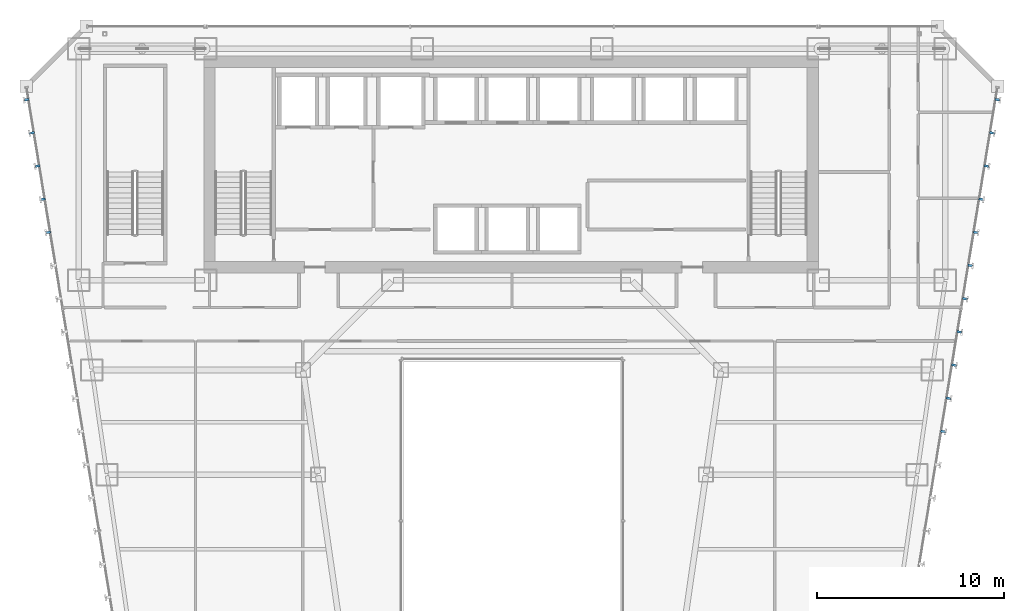
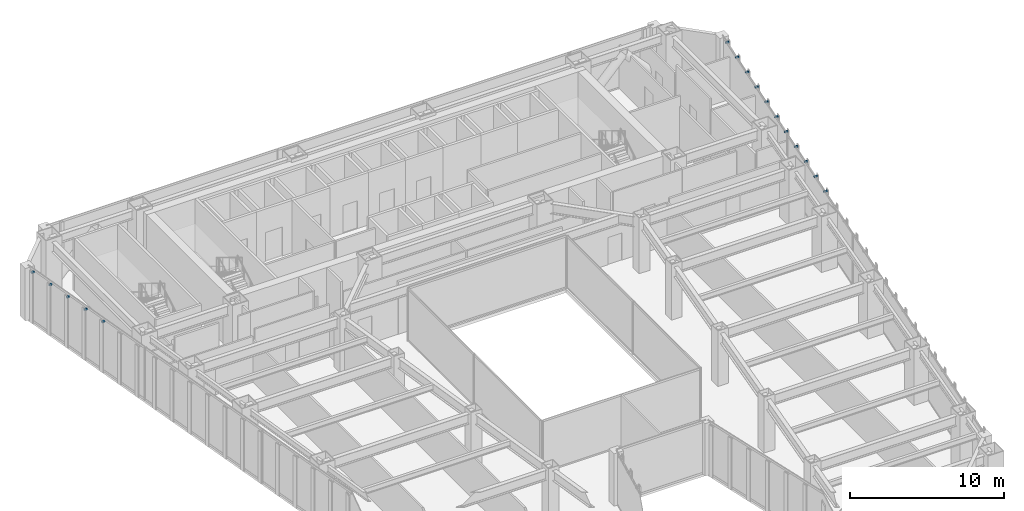
# One storey, part 40 of 47: 16 discrete accessories.
"""IFC4 building model written with IfcOpenShell, lengths in metres."""

from ifc_helpers import new_model, si_unit, direction, frame, origin, origin_2d, place, context, subcontext, project, spatial, rectangle, extrude, material, layer, layer_set, type_object, element, save


model = new_model("IFC4")

# Units and contexts
model_context = context("Model", 3, precision=1e-05, world=origin(), true_north=direction((0.0, 1.0)))
body_context = subcontext(model_context, "Body", "Model", "MODEL_VIEW")
ifc_project = project(units=[si_unit("LENGTHUNIT", "METRE"), si_unit("AREAUNIT", "SQUARE_METRE"), si_unit("VOLUMEUNIT", "CUBIC_METRE"), si_unit("PLANEANGLEUNIT", "RADIAN"), si_unit("MASSUNIT", "GRAM", prefix="KILO")], contexts=[model_context])

# Site, building, storey
site_placement = place(None, origin())
site = spatial("IfcSite", under=ifc_project, at=site_placement, CompositionType="ELEMENT")
building_placement = place(site_placement, origin())
building = spatial("IfcBuilding", under=site, at=building_placement, Name="Saevonmaru Cultural Tower", CompositionType="ELEMENT")
storey_placement = place(building_placement, frame((0.0, 0.0, 47.199951171875)))
storey = spatial("IfcBuildingStorey", under=building, at=storey_placement, Name="L09", CompositionType="ELEMENT", Elevation=47.199951171875)

# Discrete accessories
ifc_material = material(Name="Stainless Steel 316", Category="steel")
ifc_layer = layer(ifc_material, 0.1201171875, Name="Stainless Steel 316")
ifc_layer_set = layer_set([ifc_layer], Name="Stainless Steel 316")
discrete_accessory_type = type_object("IfcDiscreteAccessoryType", Name="ACC-FIN-BRKT", PredefinedType="BRACKET", material=ifc_layer_set)
for number, where, z_axis, x_axis, name in (
    (1, (53.081787109375, 34.31103515625, 3.929931640625), (0.0, 0.0, 1.0), (0.986827496189, -0.161776057456, 0.0), "L09 Bronze Fin Bracket E8-17"),
    (2, (53.372802734375, 36.08740234375, 3.929931640625), (0.0, 0.0, 1.0), (0.986827496189, -0.161776057456, 0.0), "L09 Bronze Fin Bracket E8-18"),
    (3, (53.663818359375, 37.86376953125, 3.929931640625), (0.0, 0.0, 1.0), (0.986827496189, -0.161776057456, 0.0), "L09 Bronze Fin Bracket E8-19"),
    (4, (53.955078125, 39.64013671875, 3.929931640625), (0.0, 0.0, 1.0), (0.986827496189, -0.161776057456, 0.0), "L09 Bronze Fin Bracket E8-20"),
    (5, (54.24609375, 41.41650390625, 3.929931640625), (0.0, 0.0, 1.0), (0.986827496189, -0.161776057456, 0.0), "L09 Bronze Fin Bracket E8-21"),
    (6, (54.537109375, 43.192626953125, 3.929931640625), (0.0, 0.0, 1.0), (0.986827496189, -0.161776057456, 0.0), "L09 Bronze Fin Bracket E8-22"),
    (7, (54.828125, 44.968994140625, 3.929931640625), (0.0, 0.0, 1.0), (0.986827496189, -0.161776057456, 0.0), "L09 Bronze Fin Bracket E8-23"),
    (8, (55.119384765625, 46.745361328125, 3.929931640625), (0.0, 0.0, 1.0), (0.986827496189, -0.161776057456, 0.0), "L09 Bronze Fin Bracket E8-24"),
    (9, (55.410400390625, 48.521484375, 3.929931640625), (0.0, 0.0, 1.0), (0.986827496189, -0.161776057456, 0.0), "L09 Bronze Fin Bracket E8-25"),
    (10, (55.701416015625, 50.2978515625, 3.929931640625), (0.0, 0.0, 1.0), (0.986827496189, -0.161776057456, 0.0), "L09 Bronze Fin Bracket E8-26"),
    (11, (55.992431640625, 52.07421875, 3.929931640625), (0.0, 0.0, 1.0), (0.986827496189, -0.161776057456, 0.0), "L09 Bronze Fin Bracket E8-27"),
    (12, (4.007568359375, 52.07421875, 3.929931640625), (0.0, 0.0, 1.0), (-0.986827496189, -0.161776057456, 0.0), "L09 Bronze Fin Bracket E12-01"),
    (13, (4.298583984375, 50.2978515625, 3.929931640625), (0.0, 0.0, 1.0), (-0.986827496189, -0.161776057456, 0.0), "L09 Bronze Fin Bracket E12-02"),
    (14, (4.589599609375, 48.521484375, 3.929931640625), (0.0, 0.0, 1.0), (-0.986827496189, -0.161776057456, 0.0), "L09 Bronze Fin Bracket E12-03"),
    (15, (4.880615234375, 46.745361328125, 3.929931640625), (0.0, 0.0, 1.0), (-0.986827496189, -0.161776057456, 0.0), "L09 Bronze Fin Bracket E12-04"),
    (16, (5.171875, 44.968994140625, 3.929931640625), (0.0, 0.0, 1.0), (-0.986827496189, -0.161776057456, 0.0), "L09 Bronze Fin Bracket E12-05"),
):
    element("IfcDiscreteAccessory", number, at=place(storey_placement, frame(where, z_axis=z_axis, x_axis=x_axis)), inside=storey, type_object=discrete_accessory_type, Name=name, PredefinedType="BRACKET", context=body_context, shape_type="SweptSolid", body=[
        extrude(rectangle(XDim=0.260009765625, YDim=0.1201171875, at=origin_2d()), origin(), (0.0, 0.0, 1.0), 0.1201171875),
    ])

save(model, "model.ifc")
